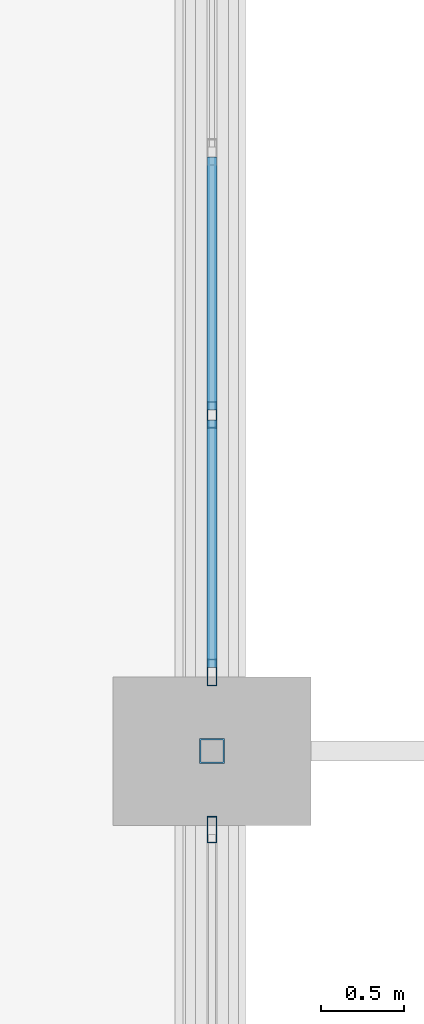
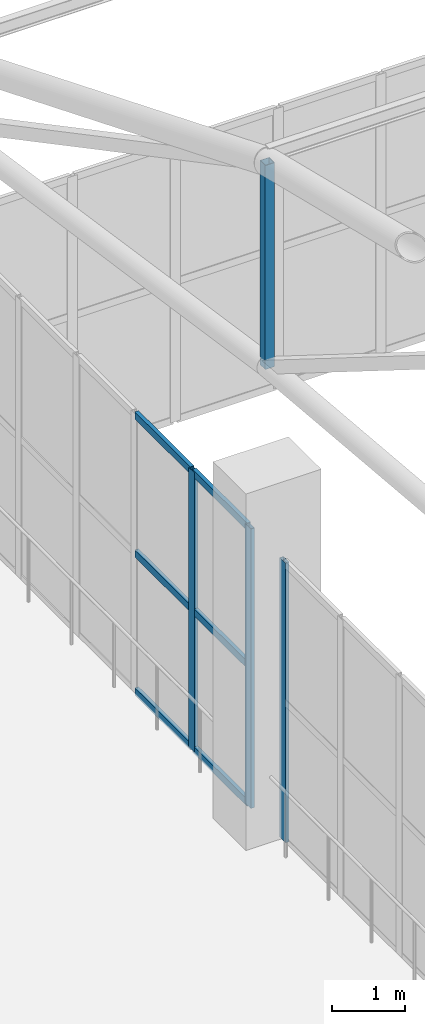
# One storey, part 123 of 223: 10 members, 2 elements without a shape of their own.
"""IFC4 building model written with IfcOpenShell, lengths in metres."""

from ifc_helpers import new_model, si_unit, direction, frame, origin, origin_2d, place, context, subcontext, project, spatial, hollow_rectangle, extrude, material, layer, layer_set, material_profile, profile_set, type_object, element, aggregate, save


model = new_model("IFC4")

# Units and contexts
model_context = context("Model", 3, precision=1e-05, world=origin(), true_north=direction((0.0, 1.0)))
body_context = subcontext(model_context, "Body", "Model", "MODEL_VIEW")
ifc_project = project(units=[si_unit("LENGTHUNIT", "METRE"), si_unit("AREAUNIT", "SQUARE_METRE"), si_unit("VOLUMEUNIT", "CUBIC_METRE"), si_unit("PLANEANGLEUNIT", "RADIAN"), si_unit("MASSUNIT", "GRAM", prefix="KILO")], contexts=[model_context])

# Site, building, storey
site_placement = place(None, origin())
site = spatial("IfcSite", under=ifc_project, at=site_placement, CompositionType="ELEMENT")
building_placement = place(site_placement, origin())
building = spatial("IfcBuilding", under=site, at=building_placement, Name="Dornveld Trade and Exhibition Forum", CompositionType="ELEMENT")
storey_placement = place(building_placement, frame((0.0, 0.0, 6.0)))
storey = spatial("IfcBuildingStorey", under=building, at=storey_placement, Name="L01", CompositionType="ELEMENT", Elevation=6.0)

# Curtain wall, member
ifc_material_1 = material(Name="Dark-bronze anodised aluminium and low-E glass", Category="aluminium")
ifc_layer_1 = layer(ifc_material_1, 0.18994140625)
ifc_layer_set_1 = layer_set([ifc_layer_1], Name="Dark-bronze anodised aluminium and low-E glass")
curtain_wall_type_1 = type_object("IfcCurtainWallType", Name="CW-SYS-16", PredefinedType="USERDEFINED", material=ifc_layer_set_1)
curtain_wall_1_placement = place(storey_placement, origin())
curtain_wall_1 = element("IfcCurtainWall", 1, at=curtain_wall_1_placement, inside=storey, type_object=curtain_wall_type_1, Name="L01 unitised curtain wall 16", ObjectType="UNITISED_CURTAIN_WALL", PredefinedType="USERDEFINED")
ifc_material_2 = material(Name="Dark-bronze anodised aluminium", Category="aluminium")
ifc_material_profile_1 = material_profile(ifc_material_2, hollow_rectangle(XDim=0.06005859375, YDim=0.159912109375, WallThickness=0.00390625, at=origin_2d()), Name="RHS 160x60x4")
ifc_profile_set_1 = profile_set([ifc_material_profile_1], Name="Dark-bronze anodised aluminium")
member_type_1 = type_object("IfcMemberType", Name="CW-MUL-160", PredefinedType="MULLION", material=ifc_profile_set_1)
member_1_placement = place(storey_placement, frame((99.0, 152.52392578125, -0.00390625), z_axis=(0.0, 0.0, 1.0), x_axis=(1.0, 0.0, 0.0)))
member_1 = element("IfcMember", 2, at=member_1_placement, type_object=member_type_1, Name="CW-16 mullion 1", PredefinedType="MULLION", context=body_context, shape_type="SweptSolid", body=[
    extrude(hollow_rectangle(XDim=0.06005859375, YDim=0.159912109375, WallThickness=0.00390625, at=origin_2d()), origin(), (0.0, 0.0, 1.0), 4.703857421875),
])
aggregate(curtain_wall_1, [member_1])

# Curtain wall, members
ifc_material_3 = material(Name="Dark-bronze anodised aluminium and low-E glass", Category="aluminium")
ifc_layer_2 = layer(ifc_material_3, 0.196044921875)
ifc_layer_set_2 = layer_set([ifc_layer_2], Name="Dark-bronze anodised aluminium and low-E glass")
curtain_wall_type_2 = type_object("IfcCurtainWallType", Name="CW-SYS-18", PredefinedType="USERDEFINED", material=ifc_layer_set_2)
curtain_wall_2_placement = place(storey_placement, origin())
curtain_wall_2 = element("IfcCurtainWall", 3, at=curtain_wall_2_placement, inside=storey, type_object=curtain_wall_type_2, Name="L01 unitised curtain wall 18", ObjectType="UNITISED_CURTAIN_WALL", PredefinedType="USERDEFINED")
member_2_placement = place(storey_placement, frame((99.0, 155.03759765625, -0.00390625), z_axis=(0.0, 0.0, 1.0), x_axis=(1.0, 0.0, 0.0)))
member_2 = element("IfcMember", 4, at=member_2_placement, type_object=member_type_1, Name="CW-18 mullion 5", PredefinedType="MULLION", context=body_context, shape_type="SweptSolid", body=[
    extrude(hollow_rectangle(XDim=0.06005859375, YDim=0.159912109375, WallThickness=0.00390625, at=origin_2d()), origin(), (0.0, 0.0, 1.0), 4.703857421875),
])
member_3_placement = place(storey_placement, frame((99.0, 153.47607421875, -0.00390625), z_axis=(0.0, 0.0, 1.0), x_axis=(1.0, 0.0, 0.0)))
member_3 = element("IfcMember", 5, at=member_3_placement, type_object=member_type_1, Name="CW-18 mullion 6", PredefinedType="MULLION", context=body_context, shape_type="SweptSolid", body=[
    extrude(hollow_rectangle(XDim=0.06005859375, YDim=0.159912109375, WallThickness=0.00390625, at=origin_2d()), origin(), (0.0, 0.0, 1.0), 4.703857421875),
])
ifc_material_4 = material(Name="Dark-bronze anodised aluminium", Category="aluminium")
ifc_material_profile_2 = material_profile(ifc_material_4, hollow_rectangle(XDim=0.06005859375, YDim=0.1201171875, WallThickness=0.00390625, at=origin_2d()), Name="RHS 120x60x4")
ifc_profile_set_2 = profile_set([ifc_material_profile_2], Name="Dark-bronze anodised aluminium")
member_type_2 = type_object("IfcMemberType", Name="CW-TRN-120", PredefinedType="USERDEFINED", material=ifc_profile_set_2)
member_4_placement = place(storey_placement, frame((99.0, 156.59912109375, 0.02587890625), z_axis=(0.0, -1.0, 0.0), x_axis=(1.0, 0.0, 0.0)))
member_4 = element("IfcMember", 6, at=member_4_placement, type_object=member_type_2, Name="CW-18 transom 4.1", ObjectType="TRANSOM", PredefinedType="USERDEFINED", context=body_context, shape_type="SweptSolid", body=[
    extrude(hollow_rectangle(XDim=0.06005859375, YDim=0.1201171875, WallThickness=0.00390625, at=origin_2d()), origin(), (0.0, 0.0, 1.0), 1.531494140625),
])
member_5_placement = place(storey_placement, frame((99.0, 156.59912109375, 2.347900390625), z_axis=(0.0, -1.0, 0.0), x_axis=(1.0, 0.0, 0.0)))
member_5 = element("IfcMember", 7, at=member_5_placement, type_object=member_type_2, Name="CW-18 transom 4.2", ObjectType="TRANSOM", PredefinedType="USERDEFINED", context=body_context, shape_type="SweptSolid", body=[
    extrude(hollow_rectangle(XDim=0.06005859375, YDim=0.1201171875, WallThickness=0.00390625, at=origin_2d()), origin(), (0.0, 0.0, 1.0), 1.531494140625),
])
member_6_placement = place(storey_placement, frame((99.0, 156.59912109375, 4.669921875), z_axis=(0.0, -1.0, 0.0), x_axis=(1.0, 0.0, 0.0)))
member_6 = element("IfcMember", 8, at=member_6_placement, type_object=member_type_2, Name="CW-18 transom 4.3", ObjectType="TRANSOM", PredefinedType="USERDEFINED", context=body_context, shape_type="SweptSolid", body=[
    extrude(hollow_rectangle(XDim=0.06005859375, YDim=0.1201171875, WallThickness=0.00390625, at=origin_2d()), origin(), (0.0, 0.0, 1.0), 1.531494140625),
])
member_7_placement = place(storey_placement, frame((99.0, 155.007568359375, 0.02587890625), z_axis=(0.0, -1.0, 0.0), x_axis=(1.0, 0.0, 0.0)))
member_7 = element("IfcMember", 9, at=member_7_placement, type_object=member_type_2, Name="CW-18 transom 5.1", ObjectType="TRANSOM", PredefinedType="USERDEFINED", context=body_context, shape_type="SweptSolid", body=[
    extrude(hollow_rectangle(XDim=0.06005859375, YDim=0.1201171875, WallThickness=0.00390625, at=origin_2d()), origin(), (0.0, 0.0, 1.0), 1.50146484375),
])
member_8_placement = place(storey_placement, frame((99.0, 155.007568359375, 2.347900390625), z_axis=(0.0, -1.0, 0.0), x_axis=(1.0, 0.0, 0.0)))
member_8 = element("IfcMember", 10, at=member_8_placement, type_object=member_type_2, Name="CW-18 transom 5.2", ObjectType="TRANSOM", PredefinedType="USERDEFINED", context=body_context, shape_type="SweptSolid", body=[
    extrude(hollow_rectangle(XDim=0.06005859375, YDim=0.1201171875, WallThickness=0.00390625, at=origin_2d()), origin(), (0.0, 0.0, 1.0), 1.50146484375),
])
member_9_placement = place(storey_placement, frame((99.0, 155.007568359375, 4.669921875), z_axis=(0.0, -1.0, 0.0), x_axis=(1.0, 0.0, 0.0)))
member_9 = element("IfcMember", 11, at=member_9_placement, type_object=member_type_2, Name="CW-18 transom 5.3", ObjectType="TRANSOM", PredefinedType="USERDEFINED", context=body_context, shape_type="SweptSolid", body=[
    extrude(hollow_rectangle(XDim=0.06005859375, YDim=0.1201171875, WallThickness=0.00390625, at=origin_2d()), origin(), (0.0, 0.0, 1.0), 1.50146484375),
])
aggregate(curtain_wall_2, [member_2, member_3, member_4, member_5, member_6, member_7, member_8, member_9])

# Member
ifc_material_5 = material(Name="Steel S355J2", Category="steel")
ifc_material_profile_3 = material_profile(ifc_material_5, hollow_rectangle(XDim=0.14990234375, YDim=0.14990234375, WallThickness=0.008056640625, at=origin_2d()), Name="SHS 150x150x8")
ifc_profile_set_3 = profile_set([ifc_material_profile_3], Name="Steel S355J2")
member_type_3 = type_object("IfcMemberType", Name="MEM-ARCH-STR", PredefinedType="STRUT", material=ifc_profile_set_3)
member_10_placement = place(storey_placement, frame((99.0, 153.0, 7.683349609375), z_axis=(0.0, 0.0, 1.0), x_axis=(1.0, 0.0, 0.0)))
element("IfcMember", 12, at=member_10_placement, inside=storey, type_object=member_type_3, Name="H1 truss 1 strut 6", PredefinedType="STRUT", context=body_context, shape_type="SweptSolid", body=[
    extrude(hollow_rectangle(XDim=0.14990234375, YDim=0.14990234375, WallThickness=0.008056640625, at=origin_2d()), origin(), (0.0, 0.0, 1.0), 3.433349609375),
])

save(model, "model.ifc")
